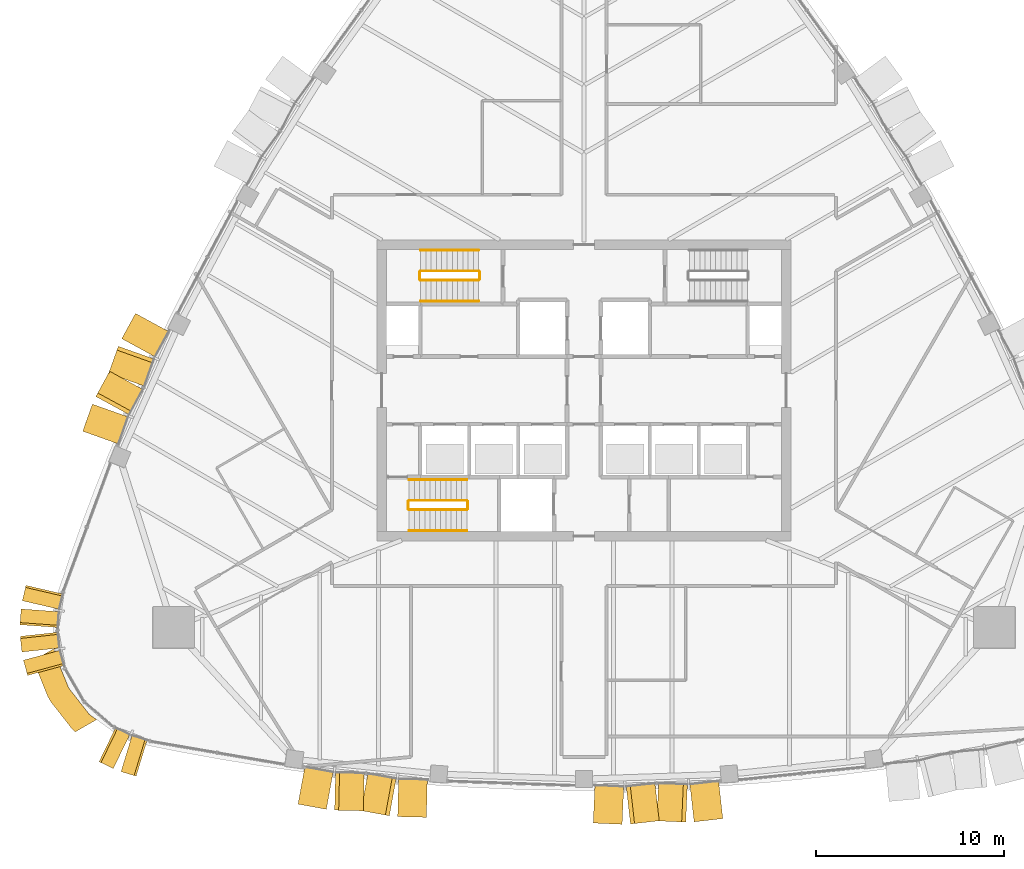
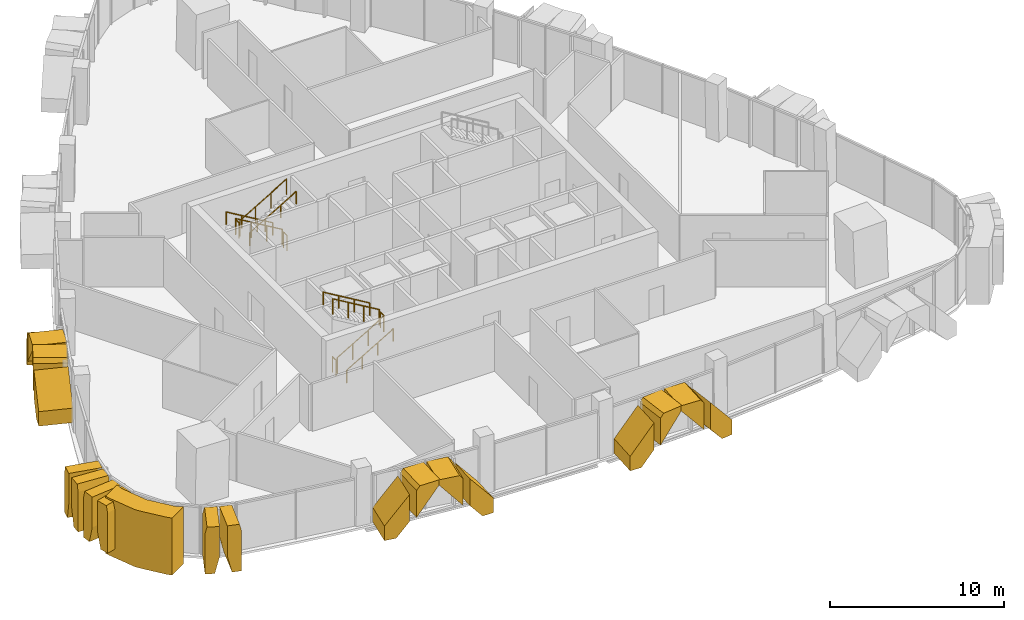
# One storey, part 15 of 18: 19 coverings, 12 railings.
"""IFC4 building model written with IfcOpenShell, lengths in metres."""

import ifcopenshell
import ifcopenshell.guid

model = None  # the IFC model being written
_history = None  # IfcOwnerHistory: only IFC2X3 demands one
_inside = {}  # id of a spatial element -> (the spatial element, [elements in it])
_under = {}  # id of a project, library or spatial element -> (it, [spatial elements below it])
_declared = {}  # id of a project -> (the project, [libraries it declares])
_typed = {}  # id of a type object -> (the type object, [elements of that type])
_made_of = {}  # id of a material, layer set ... -> (it, [elements and type objects made of it])


def new_model(schema):
    """Start an empty IFC model of exactly this schema.

    Asked for "IFC4X3", IfcOpenShell would pick the latest addendum, in which some entities
    have other attributes; the version numbers below select the first issue.
    IFC2X3 requires an IfcOwnerHistory on every rooted entity: one is made here for all.
    """
    global model, _history
    if schema == "IFC4X3":
        model = ifcopenshell.file(schema_version=(4, 3, 0, 0))
    else:
        model = ifcopenshell.file(schema=schema)
    _inside.clear()
    _under.clear()
    _declared.clear()
    _typed.clear()
    _made_of.clear()
    _history = None
    if model.schema == "IFC2X3":
        org = make("IfcOrganization", Name="unknown")
        user = make(
            "IfcPersonAndOrganization",
            ThePerson=make("IfcPerson", FamilyName="unknown"),
            TheOrganization=org,
        )
        app = make(
            "IfcApplication",
            ApplicationDeveloper=org,
            Version="unknown",
            ApplicationFullName="unknown",
            ApplicationIdentifier="unknown",
        )
        _history = make(
            "IfcOwnerHistory",
            OwningUser=user,
            OwningApplication=app,
            ChangeAction="ADDED",
            CreationDate=0,
        )
    return model


def make(cls, **values):
    """One entity of the class cls with the attributes given. An attribute that is None is left unset."""
    return model.create_entity(
        cls, **{name: value for name, value in values.items() if value is not None}
    )


def rooted(cls, **values):
    """An entity with a GlobalId (a new one), such as an element, a storey or a relation."""
    return make(cls, GlobalId=ifcopenshell.guid.new(), OwnerHistory=_history, **values)


def si_unit(unit_type, name, prefix=None):
    """IfcSIUnit, for example si_unit("LENGTHUNIT", "METRE", prefix="MILLI")."""
    return make("IfcSIUnit", UnitType=unit_type, Prefix=prefix, Name=name)


def assignment(units):
    """IfcUnitAssignment: the units of a project."""
    return None if units is None else make("IfcUnitAssignment", Units=units)


def point(xyz):
    """IfcCartesianPoint."""
    return None if xyz is None else make("IfcCartesianPoint", Coordinates=xyz)


def direction(xyz):
    """IfcDirection."""
    return None if xyz is None else make("IfcDirection", DirectionRatios=xyz)


def frame(location, z_axis=None, x_axis=None):
    """IfcAxis2Placement3D, a coordinate frame: its origin and axes. An axis left out is left unset."""
    return make(
        "IfcAxis2Placement3D",
        Location=point(location),
        Axis=direction(z_axis),
        RefDirection=direction(x_axis),
    )


def frame_2d(location, x_axis=None):
    """IfcAxis2Placement2D, a coordinate frame in the plane: its origin and x axis."""
    return make(
        "IfcAxis2Placement2D", Location=point(location), RefDirection=direction(x_axis)
    )


def origin():
    """The frame at (0, 0, 0) with its axes left unset."""
    return frame((0.0, 0.0, 0.0))


def origin_2d():
    """The frame at (0, 0) in the plane with its x axis left unset."""
    return frame_2d((0.0, 0.0))


def place(relative_to, where):
    """IfcLocalPlacement: puts the frame where relative to a parent placement (None: the world)."""
    return make(
        "IfcLocalPlacement", PlacementRelTo=relative_to, RelativePlacement=where
    )


def context(
    kind, dimensions, precision=None, world=None, true_north=None, identifier=None
):
    """IfcGeometricRepresentationContext, for example the 3D "Model" context."""
    return make(
        "IfcGeometricRepresentationContext",
        ContextIdentifier=identifier,
        ContextType=kind,
        CoordinateSpaceDimension=dimensions,
        Precision=precision,
        WorldCoordinateSystem=world,
        TrueNorth=true_north,
    )


def subcontext(parent, identifier, kind, view, scale=None):
    """IfcGeometricRepresentationSubContext, for example "Body" below "Model"."""
    return make(
        "IfcGeometricRepresentationSubContext",
        ContextIdentifier=identifier,
        ContextType=kind,
        ParentContext=parent,
        TargetScale=scale,
        TargetView=view,
    )


def project(units=None, contexts=None):
    """IfcProject with its units and contexts."""
    return rooted(
        "IfcProject",
        Name="project",
        RepresentationContexts=contexts,
        UnitsInContext=assignment(units),
    )


def spatial(cls, under=None, at=None, **own):
    """A site, building, storey or space (cls), placed at a placement, below another one or the project."""
    s = rooted(cls, ObjectPlacement=at, **own)
    if under is not None:
        _under.setdefault(under.id(), (under, []))[1].append(s)
    return s


def polyline(points):
    """IfcPolyline through the points."""
    return make("IfcPolyline", Points=[point(p) for p in points])


def profile(cls, at=None, kind="AREA", **sizes):
    """A parametric profile (cls). Its sizes go by their IFC names, for example OverallWidth=200.0."""
    return make(cls, ProfileType=kind, Position=at, **sizes)


def circle(**sizes):
    """IfcCircleProfileDef."""
    return profile("IfcCircleProfileDef", **sizes)


def outline(outer, holes=None, kind="AREA"):
    """IfcArbitraryClosedProfileDef: a profile drawn as a closed curve; with holes, ...WithVoids."""
    if holes is None:
        return make("IfcArbitraryClosedProfileDef", ProfileType=kind, OuterCurve=outer)
    return make(
        "IfcArbitraryProfileDefWithVoids",
        ProfileType=kind,
        OuterCurve=outer,
        InnerCurves=holes,
    )


def extrude(swept, where, along, depth):
    """IfcExtrudedAreaSolid: the profile swept, set in the frame where, extruded along a direction by depth."""
    return make(
        "IfcExtrudedAreaSolid",
        SweptArea=swept,
        Position=where,
        ExtrudedDirection=direction(along),
        Depth=depth,
    )


def shape(context_of_items, identifier, shape_type, items):
    """IfcShapeRepresentation: the items that make up one representation, for example the "Body"."""
    return make(
        "IfcShapeRepresentation",
        ContextOfItems=context_of_items,
        RepresentationIdentifier=identifier,
        RepresentationType=shape_type,
        Items=items,
    )


def material(Name=None, Category=None):
    """IfcMaterial."""
    return make("IfcMaterial", Name=Name, Category=Category)


def layer(
    of_material, thickness, ventilated=None, Name=None, Category=None, Priority=None
):
    """IfcMaterialLayer: one layer of a wall or slab, of a material (None: an air gap)."""
    return make(
        "IfcMaterialLayer",
        Material=of_material,
        LayerThickness=thickness,
        IsVentilated=ventilated,
        Name=Name,
        Category=Category,
        Priority=Priority,
    )


def layer_set(layers, Name=None):
    """IfcMaterialLayerSet."""
    return make("IfcMaterialLayerSet", MaterialLayers=layers, LayerSetName=Name)


def made_of(thing, what):
    """Note that an element or type object is made of a material, layer set ...; save() writes the relation."""
    if what is not None:
        _made_of.setdefault(what.id(), (what, []))[1].append(thing)
    return thing


def type_object(cls, material=None, **own):
    """A type object (cls), such as IfcWallType, which elements share."""
    return made_of(rooted(cls, **own), material)


def element(
    cls,
    number,
    at=None,
    inside=None,
    cuts=None,
    type_object=None,
    material=None,
    context=None,
    identifier="Body",
    shape_type=None,
    held_by="IfcProductDefinitionShape",
    body=None,
    shapes=None,
    **own,
):
    """One element of the class cls, such as IfcWall. Its Tag is "e" and its number.

    at: its placement. inside: the storey or other place that contains it. cuts: it is an
    opening in that element (IfcRelVoidsElement). A single representation is given by context,
    identifier, shape_type and body (its items); several are given by shapes. held_by: the class
    of the entity that holds the representations. save() writes the other relations.
    """
    e = rooted(cls, Tag="e%d" % number, ObjectPlacement=at, **own)
    if body is not None:
        shapes = [shape(context, identifier, shape_type, body)]
    if shapes is not None:
        e.Representation = make(held_by, Representations=shapes)
    if inside is not None:
        _inside.setdefault(inside.id(), (inside, []))[1].append(e)
    if cuts is not None:
        rooted(
            "IfcRelVoidsElement", RelatingBuildingElement=cuts, RelatedOpeningElement=e
        )
    if type_object is not None:
        _typed.setdefault(type_object.id(), (type_object, []))[1].append(e)
    return made_of(e, material)


def aggregate(whole, parts):
    """IfcRelAggregates: a whole, such as a stair, and the parts it consists of."""
    return rooted("IfcRelAggregates", RelatingObject=whole, RelatedObjects=parts)


def save(model, path):
    """Write the relations noted so far, then the file.

    IfcRelAggregates (storeys below a building ...), IfcRelContainedInSpatialStructure (elements
    in a storey), IfcRelDefinesByType, IfcRelAssociatesMaterial and IfcRelDeclares: one each for
    every whole, place, type object, material and project.
    """
    for whole, parts in _under.values():
        aggregate(whole, parts)
    for where, things in _inside.values():
        rooted(
            "IfcRelContainedInSpatialStructure",
            RelatedElements=things,
            RelatingStructure=where,
        )
    for kind, things in _typed.values():
        rooted("IfcRelDefinesByType", RelatedObjects=things, RelatingType=kind)
    for what, things in _made_of.values():
        rooted("IfcRelAssociatesMaterial", RelatedObjects=things, RelatingMaterial=what)
    for by, libraries in _declared.values():
        rooted("IfcRelDeclares", RelatingContext=by, RelatedDefinitions=libraries)
    model.write(path)


model = new_model("IFC4")

# Units and contexts
model_context = context("Model", 3, precision=1e-05, world=origin(), true_north=direction((0.0, 1.0)))
body_context = subcontext(model_context, "Body", "Model", "MODEL_VIEW")
ifc_project = project(units=[si_unit("LENGTHUNIT", "METRE"), si_unit("AREAUNIT", "SQUARE_METRE"), si_unit("VOLUMEUNIT", "CUBIC_METRE"), si_unit("PLANEANGLEUNIT", "RADIAN"), si_unit("MASSUNIT", "GRAM", prefix="KILO")], contexts=[model_context])

# Site, building, storey
site_placement = place(None, origin())
site = spatial("IfcSite", under=ifc_project, at=site_placement, CompositionType="ELEMENT")
building_placement = place(site_placement, origin())
building = spatial("IfcBuilding", under=site, at=building_placement, Name="Sierra Prisma Convention Tower", CompositionType="ELEMENT")
storey_placement = place(building_placement, frame((0.0, 0.0, 247.0)))
storey = spatial("IfcBuildingStorey", under=building, at=storey_placement, Name="L55", CompositionType="ELEMENT", Elevation=247.0)

# Coverings
ifc_material_1 = material(Name="Aluminium composite bronze anodised", Category="aluminium")
ifc_layer_1 = layer(ifc_material_1, 1.199951171875)
ifc_layer_set_1 = layer_set([ifc_layer_1], Name="Bronze corner pier")
covering_type_1 = type_object("IfcCoveringType", Name="Bronze corner pier", PredefinedType="CLADDING", material=ifc_layer_set_1)
covering_1_placement = place(storey_placement, frame((0.0, 0.0, -0.60009765625)))
element("IfcCovering", 1, at=covering_1_placement, inside=storey, type_object=covering_type_1, Name="Corner pier SW L55.1", PredefinedType="CLADDING", context=body_context, shape_type="SweptSolid", body=[
    extrude(outline(polyline([(-27.230224609375, -17.962646484375), (-28.333740234375, -16.552490234375), (-28.501708984375, -16.26171875), (-29.17138671875, -14.6005859375), (-29.236083984375, -14.339111328125), (-28.106201171875, -13.686767578125), (-28.058349609375, -14.152099609375), (-27.388671875, -15.81298828125), (-26.28515625, -17.22314453125), (-25.90625, -17.497314453125), (-27.0361328125, -18.149658203125), (-27.230224609375, -17.962646484375)])), origin(), (0.0, 0.0, 1.0), 4.0),
])
ifc_material_2 = material(Name="Aluminium 6063-T6 bronze anodised", Category="aluminium")
ifc_layer_2 = layer(ifc_material_2, 2.0)
ifc_layer_set_2 = layer_set([ifc_layer_2], Name="Bronze crystal chevron frame")
covering_type_2 = type_object("IfcCoveringType", Name="Bronze crystal chevron frame", PredefinedType="CLADDING", material=ifc_layer_set_2)
covering_2_placement = place(storey_placement, frame((-15.198974609375, -21.98779296875, 0.0), z_axis=(-0.180034861593, -0.983660230262, -3.458963e-06), x_axis=(0.983660230268, -0.180034861594, -4.8e-11)))
element("IfcCovering", 2, at=covering_2_placement, inside=storey, type_object=covering_type_2, Name="CW-2 chevron frame S2.1.1", PredefinedType="CLADDING", context=body_context, shape_type="SweptSolid", body=[
    extrude(outline(polyline([(0.0, 0.0), (0.7187740487062626, 5.293955920339377e-23), (1.5296331354555501, 0.9802246094546132), (1.5296331353647845, 2.862792968818351), (-4.888465820815217e-11, 1.0139160156189346), (0.0, 0.0)])), origin(), (0.0, 0.0, -1.0), 2.0),
])
covering_3_placement = place(storey_placement, frame((-13.253173828125, -22.30859375, 3.019775390625), z_axis=(-0.023945049278, -0.99971327615, 1.0180304e-05), x_axis=(-2.43768e-07, -1.0177385e-05, -0.999999999948)))
element("IfcCovering", 3, at=covering_3_placement, inside=storey, type_object=covering_type_2, Name="CW-2 chevron frame S2.1.2", PredefinedType="CLADDING", context=body_context, shape_type="SweptSolid", body=[
    extrude(outline(polyline([(0.0, 0.0), (1.8825683592774467, 0.0), (0.03369140622128179, 1.5294912124625273), (-0.2602539062634862, 1.5294912124625273), (-0.260253906489057, 0.21514898495337817), (0.0, 0.0)])), origin(), (0.0, 0.0, -1.0), 2.0),
])
covering_4_placement = place(storey_placement, frame((-11.84765625, -22.33251953125, 3.280029296875), z_axis=(-0.180031767938, -0.983660795976, 3.1512249e-05), x_axis=(-5.673206e-06, -3.0997364e-05, -0.999999999503)))
element("IfcCovering", 4, at=covering_4_placement, inside=storey, type_object=covering_type_2, Name="CW-2 chevron frame S2.2.1", PredefinedType="CLADDING", context=body_context, shape_type="SweptSolid", body=[
    extrude(outline(polyline([(0.0, 0.0), (0.2939453123540529, 2.4898136437846133e-22), (2.142822264819503, 1.5296331354845825), (0.2602539063792189, 1.5296331354845825), (-2.161325612050711e-09, 1.3144331936752636), (0.0, 0.0)])), origin(), (0.0, 0.0, -1.0), 2.0),
])
covering_5_placement = place(storey_placement, frame((-8.372802734375, -22.68994140625, 0.0), z_axis=(-0.023920707664, -0.999713858311, 3.5289327e-05), x_axis=(8.44146e-07, 3.5279229e-05, 0.999999999377)))
element("IfcCovering", 5, at=covering_5_placement, inside=storey, type_object=covering_type_2, Name="CW-2 chevron frame S2.2.2", PredefinedType="CLADDING", context=body_context, shape_type="SweptSolid", body=[
    extrude(outline(polyline([(0.0, 0.0), (1.0139160149936668, 1.0735253387289762e-22), (2.8627929681881397, 1.529491212073656), (0.9802246099853548, 1.529491212073656), (-3.6070979679894324e-09, 0.7187090664988885), (0.0, 0.0)])), origin(), (0.0, 0.0, -1.0), 2.0),
])
covering_6_placement = place(storey_placement, frame((0.490966796875, -22.992919921875, 0.0), z_axis=(-0.044313570724, -0.999017670961, 2.3604867e-05), x_axis=(0.999017671239, -0.044313570737, -2.234e-09)))
element("IfcCovering", 6, at=covering_6_placement, inside=storey, type_object=covering_type_2, Name="CW-2 chevron frame S4.1.1", PredefinedType="CLADDING", context=body_context, shape_type="SweptSolid", body=[
    extrude(outline(polyline([(0.0, 0.0), (0.7201929089133239, 0.0), (1.537642252118214, 0.9831543005844627), (1.5376422479239837, 2.860351565686485), (-2.258305801940693e-09, 1.0107421872184124), (0.0, 0.0)])), origin(), (0.0, 0.0, -1.0), 2.0),
])
covering_7_placement = place(storey_placement, frame((2.47021484375, -23.0458984375, 3.016845703125), z_axis=(0.112429922053, -0.993659653872, -6.9960357e-05), x_axis=(-7.865638e-06, 6.9516785e-05, -0.999999997553)))
element("IfcCovering", 7, at=covering_7_placement, inside=storey, type_object=covering_type_2, Name="CW-2 chevron frame S4.1.2", PredefinedType="CLADDING", context=body_context, shape_type="SweptSolid", body=[
    extrude(outline(polyline([(0.0, 0.0), (1.8771972610310745, 0.0), (0.027587889269346834, 1.5375787388076019), (-0.2631835943940697, 1.5375787388076019), (-0.26318360500508786, 0.21865236482982747), (0.0, 0.0)])), origin(), (0.0, 0.0, -1.0), 2.0),
])
covering_8_placement = place(storey_placement, frame((3.873779296875, -22.877197265625, 3.280029296875), z_axis=(-0.044453965027, -0.999011433712, 1.748932e-05), x_axis=(-7.7747e-07, -1.7472031e-05, -0.999999999847)))
element("IfcCovering", 8, at=covering_8_placement, inside=storey, type_object=covering_type_2, Name="CW-2 chevron frame S4.2.1", PredefinedType="CLADDING", context=body_context, shape_type="SweptSolid", body=[
    extrude(outline(polyline([(0.0, 0.0), (0.29077148433052996, 0.0), (2.140380859128156, 1.537653088888506), (0.2631835937902508, 1.537653088888506), (-6.6313029342548e-10, 1.3189291162541252), (0.0, 0.0)])), origin(), (0.0, 0.0, -1.0), 2.0),
])
covering_9_placement = place(storey_placement, frame((7.380859375, -22.75732421875, 0.0), z_axis=(0.112571683641, -0.993643606138, -4.897076e-06), x_axis=(5.51272e-07, -4.865948e-06, 0.999999999988)))
element("IfcCovering", 9, at=covering_9_placement, inside=storey, type_object=covering_type_2, Name="CW-2 chevron frame S4.2.2", PredefinedType="CLADDING", context=body_context, shape_type="SweptSolid", body=[
    extrude(outline(polyline([(0.0, 0.0), (1.0107421874878806, -1.0701649174904796e-22), (2.86035156248928, 1.5376062038541143), (0.9831542968867887, 1.5376062038541143), (-6.925670186635067e-11, 0.720152150535561), (0.0, 0.0)])), origin(), (0.0, 0.0, -1.0), 2.0),
])
covering_10_placement = place(storey_placement, frame((-23.83642578125, 4.093994140625, 0.0), z_axis=(-0.877737471331, 0.479141868028, -4.1533413e-05), x_axis=(-0.479141868441, -0.877737472088, -6.952e-09)))
element("IfcCovering", 10, at=covering_10_placement, inside=storey, type_object=covering_type_2, Name="CW-2 chevron frame NW5.1.1", PredefinedType="CLADDING", context=body_context, shape_type="SweptSolid", body=[
    extrude(outline(polyline([(0.0, 0.0), (0.7186678863223561, 1.6940658945086007e-21), (1.529556206092753, 0.9802246208546262), (1.5295561930042814, 2.862792978605888), (-7.049205424605193e-09, 1.013916014750485), (0.0, 0.0)])), origin(), (0.0, 0.0, -1.0), 2.0),
])
covering_11_placement = place(storey_placement, frame((-24.75048828125, 2.3466796875, 3.019775390625), z_axis=(-0.941867813012, 0.335983664422, 7.370887e-06), x_axis=(-6.942401e-06, 2.476497e-06, -0.999999999973)))
element("IfcCovering", 11, at=covering_11_placement, inside=storey, type_object=covering_type_2, Name="CW-2 chevron frame NW5.1.2", PredefinedType="CLADDING", context=body_context, shape_type="SweptSolid", body=[
    extrude(outline(polyline([(0.0, 0.0), (1.8825683593238602, 0.0), (0.03369140623494519, 1.5295916939355212), (-0.2602539062570698, 1.5295916939355212), (-0.2602539063753197, 0.21513707262999737), (0.0, 0.0)])), origin(), (0.0, 0.0, -1.0), 2.0),
])
covering_12_placement = place(storey_placement, frame((-25.213623046875, 1.019287109375, 3.280029296875), z_axis=(-0.877788938111, 0.479047574735, -3.5656844e-05), x_axis=(3.1299183e-05, -1.7081325e-05, -0.999999999364)))
element("IfcCovering", 12, at=covering_12_placement, inside=storey, type_object=covering_type_2, Name="CW-2 chevron frame NW5.2.1", PredefinedType="CLADDING", context=body_context, shape_type="SweptSolid", body=[
    extrude(outline(polyline([(0.0, 0.0), (0.2939453123131374, 4.979627287569227e-22), (2.1428222645936863, 1.5294392447342848), (0.26025390641544477, 1.5294392447342848), (-2.7672424206896785e-09, 1.3142129959071143), (0.0, 0.0)])), origin(), (0.0, 0.0, -1.0), 2.0),
])
covering_13_placement = place(storey_placement, frame((-26.641357421875, -2.168701171875, 0.0), z_axis=(-0.941929237741, 0.335811418368, 4.88011e-05), x_axis=(4.5967183e-05, -1.6387967e-05, 0.999999998809)))
element("IfcCovering", 13, at=covering_13_placement, inside=storey, type_object=covering_type_2, Name="CW-2 chevron frame NW5.2.2", PredefinedType="CLADDING", context=body_context, shape_type="SweptSolid", body=[
    extrude(outline(polyline([(0.0, 0.0), (1.0139160144176556, 0.0), (2.862792967675513, 1.5295096835005888), (0.9802246105422258, 1.5295096835005888), (-6.898114654765392e-09, 0.7186893215600273), (0.0, 0.0)])), origin(), (0.0, 0.0, -1.0), 2.0),
])
covering_14_placement = place(storey_placement, frame((-29.65869140625, -10.360595703125, 0.0), z_axis=(-0.973971550874, 0.226670284845, -7.507365e-06), x_axis=(-0.226670284852, -0.973971550901, -1.134e-09)))
element("IfcCovering", 14, at=covering_14_placement, inside=storey, type_object=covering_type_2, Name="CW-2 chevron frame SW1.1.1", PredefinedType="CLADDING", context=body_context, shape_type="SweptSolid", body=[
    extrude(outline(polyline([(0.0, 0.0), (0.5572088122368427, -1.0587911840678754e-22), (0.8389792303062786, 1.1694335947754821), (0.8389792279128486, 3.2800292978410055), (0.11328991837926584, 3.280029296566544), (-3.186348767762291e-09, 2.809814453045819), (0.0, 0.0)])), origin(), (0.0, 0.0, -1.0), 2.0),
])
covering_15_placement = place(storey_placement, frame((-29.915283203125, -11.6162109375, 3.280029296875), z_axis=(-0.99745427702, 0.071308940309, -1.6934502e-05), x_axis=(1.6891391e-05, -1.207581e-06, -0.999999999857)))
element("IfcCovering", 15, at=covering_15_placement, inside=storey, type_object=covering_type_2, Name="CW-2 chevron frame SW1.1.2", PredefinedType="CLADDING", context=body_context, shape_type="SweptSolid", body=[
    extrude(outline(polyline([(0.0, 0.0), (2.1105957028223647, 4.469360247200578e-22), (3.2800292978792087, 0.2819615870111888), (3.280029296697188, 0.8390488165265154), (0.4702148439750833, 0.8390488165265154), (-1.2113259425428846e-10, 0.7257249577967904), (0.0, 0.0)])), origin(), (0.0, 0.0, -1.0), 2.0),
])
covering_16_placement = place(storey_placement, frame((-29.9638671875, -13.069580078125, 0.0), z_axis=(-0.994159107507, -0.107924366573, 7.739041e-06), x_axis=(0.107924366576, -0.994159107537, -1.076e-09)))
element("IfcCovering", 16, at=covering_16_placement, inside=storey, type_object=covering_type_2, Name="CW-2 chevron frame SW2.1.1", PredefinedType="CLADDING", context=body_context, shape_type="SweptSolid", body=[
    extrude(outline(polyline([(0.0, 0.0), (0.557201271772366, -5.293955920339377e-23), (0.8391312512943013, 1.1694335947224812), (0.839131249023819, 3.280029297784276), (0.11345158973589589, 3.2800292966095475), (-3.0226698500000734e-09, 2.8098144530408558), (0.0, 0.0)])), origin(), (0.0, 0.0, -1.0), 2.0),
])
covering_17_placement = place(storey_placement, frame((-29.791015625, -14.33935546875, 3.280029296875), z_axis=(-0.965039310791, -0.26210518475, -2.7498114e-05), x_axis=(2.6536761e-05, 7.207398e-06, -0.999999999622)))
element("IfcCovering", 17, at=covering_17_placement, inside=storey, type_object=covering_type_2, Name="CW-2 chevron frame SW2.1.2", PredefinedType="CLADDING", context=body_context, shape_type="SweptSolid", body=[
    extrude(outline(polyline([(0.0, 0.0), (2.1105957023270405, 0.0), (3.28002929846619, 0.2818534335049689), (3.2800292962896083, 0.8391582438113724), (0.470214844226924, 0.8391582438113724), (-1.4376891089719793e-09, 0.7258002252690888), (0.0, 0.0)])), origin(), (0.0, 0.0, -1.0), 2.0),
])
covering_18_placement = place(storey_placement, frame((-25.772216796875, -19.732666015625, 0.0), z_axis=(-0.436816636001, -0.899550569037, -1.6086682e-05), x_axis=(0.899550569153, -0.436816636057, 4.75e-10)))
element("IfcCovering", 18, at=covering_18_placement, inside=storey, type_object=covering_type_2, Name="CW-2 chevron frame SW5.1.1", PredefinedType="CLADDING", context=body_context, shape_type="SweptSolid", body=[
    extrude(outline(polyline([(0.0, 0.0), (0.5571981212452025, 0.0), (0.8389093218380009, 1.1694335932992628), (0.8389093228401385, 3.280029296151172), (0.11322909444227633, 3.2800292981886296), (1.3341354764749122e-09, 2.8098144527614366), (0.0, 0.0)])), origin(), (0.0, 0.0, -1.0), 2.0),
])
covering_19_placement = place(storey_placement, frame((-24.604736328125, -20.260986328125, 3.280029296875), z_axis=(-0.290729936423, -0.956805154619, -1.271003e-05), x_axis=(3.695186e-06, 1.2161022e-05, -0.999999999919)))
element("IfcCovering", 19, at=covering_19_placement, inside=storey, type_object=covering_type_2, Name="CW-2 chevron frame SW5.1.2", PredefinedType="CLADDING", context=body_context, shape_type="SweptSolid", body=[
    extrude(outline(polyline([(0.0, 0.0), (2.110595702954522, 0.0), (3.280029297963369, 0.2816668504625307), (3.2800292968324944, 0.8389683972539506), (0.47021484393444973, 0.8389683972539506), (4.849596018872169e-10, 0.725670050060218), (0.0, 0.0)])), origin(), (0.0, 0.0, -1.0), 2.0),
])

# Railings
ifc_material_3 = material(Name="Stainless steel", Category="steel")
railing_type_1 = type_object("IfcRailingType", Name="Exit stair handrail", PredefinedType="HANDRAIL", material=ifc_material_3)
railing_1_placement = place(storey_placement, frame((-9.300048828125, -7.449951171875, 0.166748046875)))
element("IfcRailing", 20, at=railing_1_placement, inside=storey, type_object=railing_type_1, Name="L55 S1 stair handrail 1", PredefinedType="HANDRAIL", context=body_context, shape_type="SweptSolid", body=[
    extrude(circle(Radius=0.02392578125, at=origin_2d()), frame((0.0, 0.0, 0.8759765625), z_axis=(0.859308565015, 0.0, 0.511457515432), x_axis=(0.0, 1.0, 0.0)), (0.0, 0.0, 1.0), 3.58447265625),
    extrude(circle(Radius=0.02099609375, at=origin_2d()), origin(), (0.0, 0.0, 1.0), 0.851806640625),
    extrude(circle(Radius=0.02099609375, at=origin_2d()), frame((1.026611328125, 0.0, 0.611083984375)), (0.0, 0.0, 1.0), 0.851806640625),
    extrude(circle(Radius=0.02099609375, at=origin_2d()), frame((2.053466796875, 0.0, 1.22216796875)), (0.0, 0.0, 1.0), 0.851806640625),
    extrude(circle(Radius=0.02099609375, at=origin_2d()), frame((3.080078125, 0.0, 1.833251953125)), (0.0, 0.0, 1.0), 0.851806640625),
])
railing_2_placement = place(storey_placement, frame((-6.219970703125, -4.75, 2.166748046875)))
element("IfcRailing", 21, at=railing_2_placement, inside=storey, type_object=railing_type_1, Name="L55 S1 stair handrail 2", PredefinedType="HANDRAIL", context=body_context, shape_type="SweptSolid", body=[
    extrude(circle(Radius=0.02392578125, at=origin_2d()), frame((0.0, 0.0, 0.8759765625), z_axis=(-0.859308565015, 0.0, 0.511457515432), x_axis=(0.0, -1.0, 0.0)), (0.0, 0.0, 1.0), 3.58447265625),
    extrude(circle(Radius=0.02099609375, at=origin_2d()), origin(), (0.0, 0.0, 1.0), 0.851806640625),
    extrude(circle(Radius=0.02099609375, at=origin_2d()), frame((-1.026611328125, 0.0, 0.611083984375)), (0.0, 0.0, 1.0), 0.851806640625),
    extrude(circle(Radius=0.02099609375, at=origin_2d()), frame((-2.053466796875, 0.0, 1.22216796875)), (0.0, 0.0, 1.0), 0.851806640625),
    extrude(circle(Radius=0.02099609375, at=origin_2d()), frame((-3.080078125, 0.0, 1.833251953125)), (0.0, 0.0, 1.0), 0.851806640625),
])
railing_3_placement = place(storey_placement, frame((-5.60009765625, 7.449951171875, 0.166748046875)))
element("IfcRailing", 22, at=railing_3_placement, inside=storey, type_object=railing_type_1, Name="L55 S3 stair handrail 1", PredefinedType="HANDRAIL", context=body_context, shape_type="SweptSolid", body=[
    extrude(circle(Radius=0.02392578125, at=origin_2d()), frame((0.0, 0.0, 0.8759765625), z_axis=(-0.859290745958, 0.0, 0.51148745235), x_axis=(0.0, -1.0, 0.0)), (0.0, 0.0, 1.0), 3.584228515625),
    extrude(circle(Radius=0.02099609375, at=origin_2d()), origin(), (0.0, 0.0, 1.0), 0.851806640625),
    extrude(circle(Radius=0.02099609375, at=origin_2d()), frame((-1.026611328125, 0.0, 0.611083984375)), (0.0, 0.0, 1.0), 0.851806640625),
    extrude(circle(Radius=0.02099609375, at=origin_2d()), frame((-2.05322265625, 0.0, 1.22216796875)), (0.0, 0.0, 1.0), 0.851806640625),
    extrude(circle(Radius=0.02099609375, at=origin_2d()), frame((-3.079833984375, 0.0, 1.833251953125)), (0.0, 0.0, 1.0), 0.851806640625),
])
railing_4_placement = place(storey_placement, frame((-8.679931640625, 4.75, 2.166748046875)))
element("IfcRailing", 23, at=railing_4_placement, inside=storey, type_object=railing_type_1, Name="L55 S3 stair handrail 2", PredefinedType="HANDRAIL", context=body_context, shape_type="SweptSolid", body=[
    extrude(circle(Radius=0.02392578125, at=origin_2d()), frame((0.0, 0.0, 0.8759765625), z_axis=(0.859290745958, 0.0, 0.51148745235), x_axis=(0.0, 1.0, 0.0)), (0.0, 0.0, 1.0), 3.584228515625),
    extrude(circle(Radius=0.02099609375, at=origin_2d()), origin(), (0.0, 0.0, 1.0), 0.851806640625),
    extrude(circle(Radius=0.02099609375, at=origin_2d()), frame((1.026611328125, 0.0, 0.611083984375)), (0.0, 0.0, 1.0), 0.851806640625),
    extrude(circle(Radius=0.02099609375, at=origin_2d()), frame((2.05322265625, 0.0, 1.22216796875)), (0.0, 0.0, 1.0), 0.851806640625),
    extrude(circle(Radius=0.02099609375, at=origin_2d()), frame((3.079833984375, 0.0, 1.833251953125)), (0.0, 0.0, 1.0), 0.851806640625),
])
ifc_material_4 = material(Name="Stainless steel", Category="steel")
railing_type_2 = type_object("IfcRailingType", Name="Stair guard 1100", PredefinedType="GUARDRAIL", material=ifc_material_4)
railing_5_placement = place(storey_placement, frame((-9.300048828125, -6.35009765625, 0.166748046875)))
element("IfcRailing", 24, at=railing_5_placement, inside=storey, type_object=railing_type_2, Name="L55 S1 stair guard 1", PredefinedType="GUARDRAIL", context=body_context, shape_type="SweptSolid", body=[
    extrude(circle(Radius=0.02392578125, at=origin_2d()), frame((0.0, 0.0, 1.076171875), z_axis=(0.859308565015, 0.0, 0.511457515432), x_axis=(0.0, 1.0, 0.0)), (0.0, 0.0, 1.0), 3.58447265625),
    extrude(circle(Radius=0.02099609375, at=origin_2d()), origin(), (0.0, 0.0, 1.0), 1.052001953125),
    extrude(circle(Radius=0.02099609375, at=origin_2d()), frame((1.026611328125, 0.0, 0.611083984375)), (0.0, 0.0, 1.0), 1.052001953125),
    extrude(circle(Radius=0.02099609375, at=origin_2d()), frame((2.053466796875, 0.0, 1.22216796875)), (0.0, 0.0, 1.0), 1.052001953125),
    extrude(circle(Radius=0.02099609375, at=origin_2d()), frame((3.080078125, 0.0, 1.833251953125)), (0.0, 0.0, 1.0), 1.052001953125),
])
railing_6_placement = place(storey_placement, frame((-6.169921875, -6.300048828125, 2.0)))
element("IfcRailing", 25, at=railing_6_placement, inside=storey, type_object=railing_type_2, Name="L55 S1 stair guard 2", PredefinedType="GUARDRAIL", context=body_context, shape_type="SweptSolid", body=[
    extrude(circle(Radius=0.02392578125, at=origin_2d()), frame((0.0, 0.0, 1.076171875), z_axis=(0.0, 1.0, 0.0), x_axis=(-1.0, 0.0, 0.0)), (0.0, 0.0, 1.0), 0.400146484375),
    extrude(circle(Radius=0.02099609375, at=origin_2d()), origin(), (0.0, 0.0, 1.0), 1.052001953125),
    extrude(circle(Radius=0.02099609375, at=origin_2d()), frame((0.0, 0.400146484375, 0.0)), (0.0, 0.0, 1.0), 1.052001953125),
])
railing_7_placement = place(storey_placement, frame((-6.219970703125, -5.85009765625, 2.166748046875)))
element("IfcRailing", 26, at=railing_7_placement, inside=storey, type_object=railing_type_2, Name="L55 S1 stair guard 3", PredefinedType="GUARDRAIL", context=body_context, shape_type="SweptSolid", body=[
    extrude(circle(Radius=0.02392578125, at=origin_2d()), frame((0.0, 0.0, 1.076171875), z_axis=(-0.859308565015, 0.0, 0.511457515432), x_axis=(0.0, -1.0, 0.0)), (0.0, 0.0, 1.0), 3.58447265625),
    extrude(circle(Radius=0.02099609375, at=origin_2d()), origin(), (0.0, 0.0, 1.0), 1.052001953125),
    extrude(circle(Radius=0.02099609375, at=origin_2d()), frame((-1.026611328125, 0.0, 0.611083984375)), (0.0, 0.0, 1.0), 1.052001953125),
    extrude(circle(Radius=0.02099609375, at=origin_2d()), frame((-2.053466796875, 0.0, 1.22216796875)), (0.0, 0.0, 1.0), 1.052001953125),
    extrude(circle(Radius=0.02099609375, at=origin_2d()), frame((-3.080078125, 0.0, 1.833251953125)), (0.0, 0.0, 1.0), 1.052001953125),
])
railing_8_placement = place(storey_placement, frame((-9.35009765625, -6.300048828125, 0.0)))
element("IfcRailing", 27, at=railing_8_placement, inside=storey, type_object=railing_type_2, Name="L55 S1 stair guard 4", PredefinedType="GUARDRAIL", context=body_context, shape_type="SweptSolid", body=[
    extrude(circle(Radius=0.02392578125, at=origin_2d()), frame((0.0, 0.0, 1.076171875), z_axis=(0.0, 1.0, 0.0), x_axis=(-1.0, 0.0, 0.0)), (0.0, 0.0, 1.0), 0.400146484375),
    extrude(circle(Radius=0.02099609375, at=origin_2d()), origin(), (0.0, 0.0, 1.0), 1.052001953125),
    extrude(circle(Radius=0.02099609375, at=origin_2d()), frame((0.0, 0.400146484375, 0.0)), (0.0, 0.0, 1.0), 1.052001953125),
])
railing_9_placement = place(storey_placement, frame((-5.60009765625, 6.35009765625, 0.166748046875)))
element("IfcRailing", 28, at=railing_9_placement, inside=storey, type_object=railing_type_2, Name="L55 S3 stair guard 1", PredefinedType="GUARDRAIL", context=body_context, shape_type="SweptSolid", body=[
    extrude(circle(Radius=0.02392578125, at=origin_2d()), frame((0.0, 0.0, 1.076171875), z_axis=(-0.859290745958, 0.0, 0.51148745235), x_axis=(0.0, -1.0, 0.0)), (0.0, 0.0, 1.0), 3.584228515625),
    extrude(circle(Radius=0.02099609375, at=origin_2d()), origin(), (0.0, 0.0, 1.0), 1.052001953125),
    extrude(circle(Radius=0.02099609375, at=origin_2d()), frame((-1.026611328125, 0.0, 0.611083984375)), (0.0, 0.0, 1.0), 1.052001953125),
    extrude(circle(Radius=0.02099609375, at=origin_2d()), frame((-2.05322265625, 0.0, 1.22216796875)), (0.0, 0.0, 1.0), 1.052001953125),
    extrude(circle(Radius=0.02099609375, at=origin_2d()), frame((-3.079833984375, 0.0, 1.833251953125)), (0.0, 0.0, 1.0), 1.052001953125),
])
railing_10_placement = place(storey_placement, frame((-8.72998046875, 6.300048828125, 2.0)))
element("IfcRailing", 29, at=railing_10_placement, inside=storey, type_object=railing_type_2, Name="L55 S3 stair guard 2", PredefinedType="GUARDRAIL", context=body_context, shape_type="SweptSolid", body=[
    extrude(circle(Radius=0.02392578125, at=origin_2d()), frame((0.0, 0.0, 1.076171875), z_axis=(0.0, -1.0, 0.0), x_axis=(1.0, 0.0, 0.0)), (0.0, 0.0, 1.0), 0.400146484375),
    extrude(circle(Radius=0.02099609375, at=origin_2d()), origin(), (0.0, 0.0, 1.0), 1.052001953125),
    extrude(circle(Radius=0.02099609375, at=origin_2d()), frame((0.0, -0.400146484375, 0.0)), (0.0, 0.0, 1.0), 1.052001953125),
])
railing_11_placement = place(storey_placement, frame((-8.679931640625, 5.85009765625, 2.166748046875)))
element("IfcRailing", 30, at=railing_11_placement, inside=storey, type_object=railing_type_2, Name="L55 S3 stair guard 3", PredefinedType="GUARDRAIL", context=body_context, shape_type="SweptSolid", body=[
    extrude(circle(Radius=0.02392578125, at=origin_2d()), frame((0.0, 0.0, 1.076171875), z_axis=(0.859290745958, 0.0, 0.51148745235), x_axis=(0.0, 1.0, 0.0)), (0.0, 0.0, 1.0), 3.584228515625),
    extrude(circle(Radius=0.02099609375, at=origin_2d()), origin(), (0.0, 0.0, 1.0), 1.052001953125),
    extrude(circle(Radius=0.02099609375, at=origin_2d()), frame((1.026611328125, 0.0, 0.611083984375)), (0.0, 0.0, 1.0), 1.052001953125),
    extrude(circle(Radius=0.02099609375, at=origin_2d()), frame((2.05322265625, 0.0, 1.22216796875)), (0.0, 0.0, 1.0), 1.052001953125),
    extrude(circle(Radius=0.02099609375, at=origin_2d()), frame((3.079833984375, 0.0, 1.833251953125)), (0.0, 0.0, 1.0), 1.052001953125),
])
railing_12_placement = place(storey_placement, frame((-5.550048828125, 6.300048828125, 0.0)))
element("IfcRailing", 31, at=railing_12_placement, inside=storey, type_object=railing_type_2, Name="L55 S3 stair guard 4", PredefinedType="GUARDRAIL", context=body_context, shape_type="SweptSolid", body=[
    extrude(circle(Radius=0.02392578125, at=origin_2d()), frame((0.0, 0.0, 1.076171875), z_axis=(0.0, -1.0, 0.0), x_axis=(1.0, 0.0, 0.0)), (0.0, 0.0, 1.0), 0.400146484375),
    extrude(circle(Radius=0.02099609375, at=origin_2d()), origin(), (0.0, 0.0, 1.0), 1.052001953125),
    extrude(circle(Radius=0.02099609375, at=origin_2d()), frame((0.0, -0.400146484375, 0.0)), (0.0, 0.0, 1.0), 1.052001953125),
])

save(model, "model.ifc")
